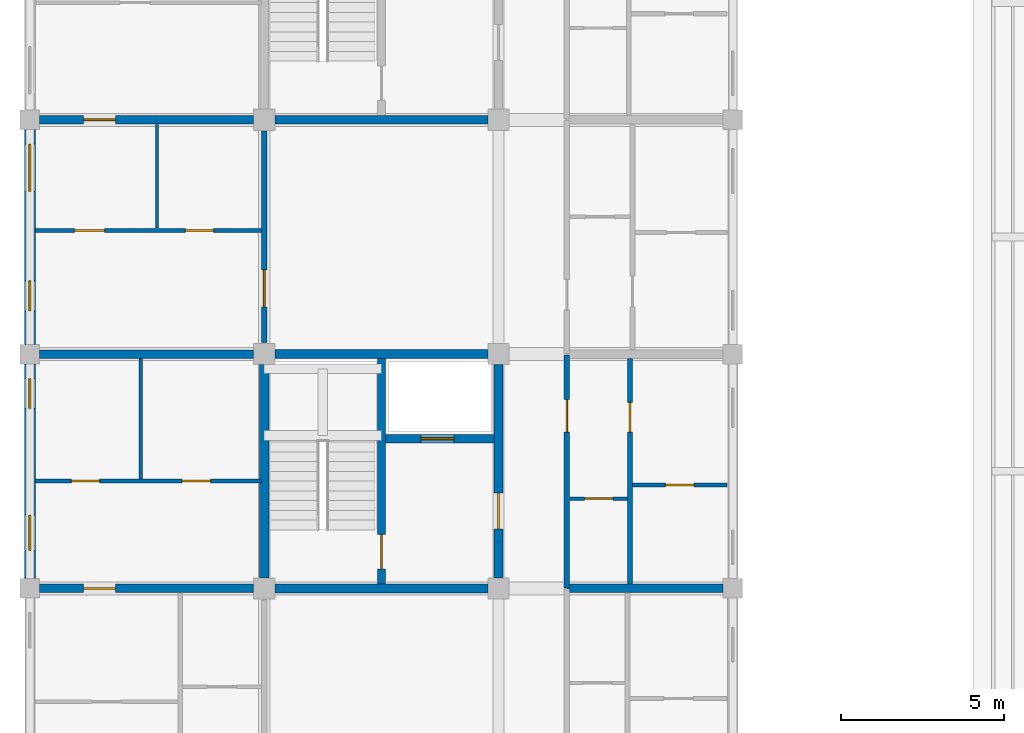
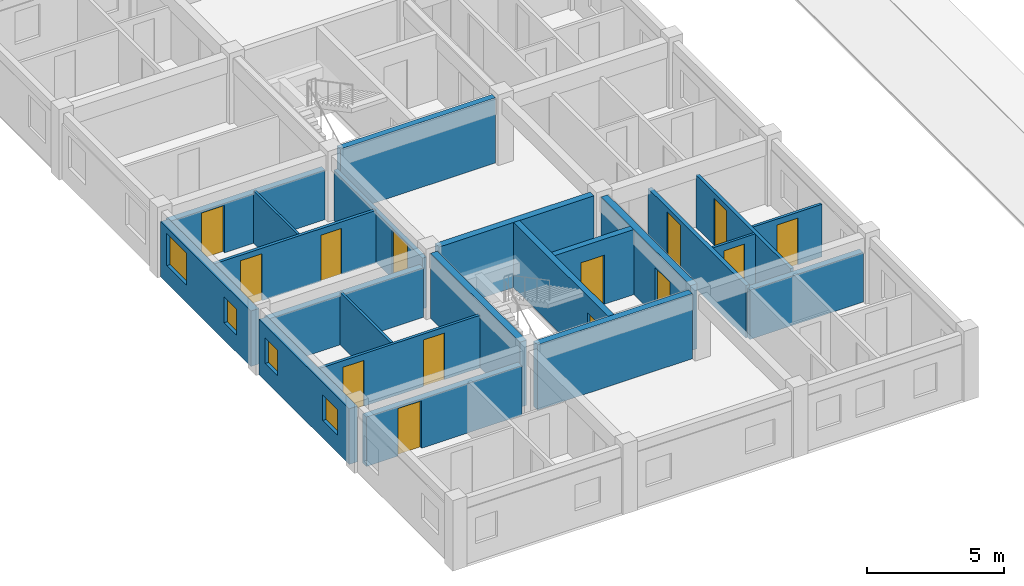
# One storey, part 25 of 50: 22 walls, 14 doors, 4 windows, 18 openings.
"""IFC4 building model written with IfcOpenShell, lengths in metres."""

import ifcopenshell
import ifcopenshell.guid

model = None  # the IFC model being written
_history = None  # IfcOwnerHistory: only IFC2X3 demands one
_inside = {}  # id of a spatial element -> (the spatial element, [elements in it])
_under = {}  # id of a project, library or spatial element -> (it, [spatial elements below it])
_declared = {}  # id of a project -> (the project, [libraries it declares])
_typed = {}  # id of a type object -> (the type object, [elements of that type])
_made_of = {}  # id of a material, layer set ... -> (it, [elements and type objects made of it])


def new_model(schema):
    """Start an empty IFC model of exactly this schema.

    Asked for "IFC4X3", IfcOpenShell would pick the latest addendum, in which some entities
    have other attributes; the version numbers below select the first issue.
    IFC2X3 requires an IfcOwnerHistory on every rooted entity: one is made here for all.
    """
    global model, _history
    if schema == "IFC4X3":
        model = ifcopenshell.file(schema_version=(4, 3, 0, 0))
    else:
        model = ifcopenshell.file(schema=schema)
    _inside.clear()
    _under.clear()
    _declared.clear()
    _typed.clear()
    _made_of.clear()
    _history = None
    if model.schema == "IFC2X3":
        org = make("IfcOrganization", Name="unknown")
        user = make(
            "IfcPersonAndOrganization",
            ThePerson=make("IfcPerson", FamilyName="unknown"),
            TheOrganization=org,
        )
        app = make(
            "IfcApplication",
            ApplicationDeveloper=org,
            Version="unknown",
            ApplicationFullName="unknown",
            ApplicationIdentifier="unknown",
        )
        _history = make(
            "IfcOwnerHistory",
            OwningUser=user,
            OwningApplication=app,
            ChangeAction="ADDED",
            CreationDate=0,
        )
    return model


def make(cls, **values):
    """One entity of the class cls with the attributes given. An attribute that is None is left unset."""
    return model.create_entity(
        cls, **{name: value for name, value in values.items() if value is not None}
    )


def rooted(cls, **values):
    """An entity with a GlobalId (a new one), such as an element, a storey or a relation."""
    return make(cls, GlobalId=ifcopenshell.guid.new(), OwnerHistory=_history, **values)


def si_unit(unit_type, name, prefix=None):
    """IfcSIUnit, for example si_unit("LENGTHUNIT", "METRE", prefix="MILLI")."""
    return make("IfcSIUnit", UnitType=unit_type, Prefix=prefix, Name=name)


def assignment(units):
    """IfcUnitAssignment: the units of a project."""
    return None if units is None else make("IfcUnitAssignment", Units=units)


def point(xyz):
    """IfcCartesianPoint."""
    return None if xyz is None else make("IfcCartesianPoint", Coordinates=xyz)


def direction(xyz):
    """IfcDirection."""
    return None if xyz is None else make("IfcDirection", DirectionRatios=xyz)


def frame(location, z_axis=None, x_axis=None):
    """IfcAxis2Placement3D, a coordinate frame: its origin and axes. An axis left out is left unset."""
    return make(
        "IfcAxis2Placement3D",
        Location=point(location),
        Axis=direction(z_axis),
        RefDirection=direction(x_axis),
    )


def frame_2d(location, x_axis=None):
    """IfcAxis2Placement2D, a coordinate frame in the plane: its origin and x axis."""
    return make(
        "IfcAxis2Placement2D", Location=point(location), RefDirection=direction(x_axis)
    )


def origin():
    """The frame at (0, 0, 0) with its axes left unset."""
    return frame((0.0, 0.0, 0.0))


def place(relative_to, where):
    """IfcLocalPlacement: puts the frame where relative to a parent placement (None: the world)."""
    return make(
        "IfcLocalPlacement", PlacementRelTo=relative_to, RelativePlacement=where
    )


def context(
    kind, dimensions, precision=None, world=None, true_north=None, identifier=None
):
    """IfcGeometricRepresentationContext, for example the 3D "Model" context."""
    return make(
        "IfcGeometricRepresentationContext",
        ContextIdentifier=identifier,
        ContextType=kind,
        CoordinateSpaceDimension=dimensions,
        Precision=precision,
        WorldCoordinateSystem=world,
        TrueNorth=true_north,
    )


def subcontext(parent, identifier, kind, view, scale=None):
    """IfcGeometricRepresentationSubContext, for example "Body" below "Model"."""
    return make(
        "IfcGeometricRepresentationSubContext",
        ContextIdentifier=identifier,
        ContextType=kind,
        ParentContext=parent,
        TargetScale=scale,
        TargetView=view,
    )


def project(units=None, contexts=None):
    """IfcProject with its units and contexts."""
    return rooted(
        "IfcProject",
        Name="project",
        RepresentationContexts=contexts,
        UnitsInContext=assignment(units),
    )


def spatial(cls, under=None, at=None, **own):
    """A site, building, storey or space (cls), placed at a placement, below another one or the project."""
    s = rooted(cls, ObjectPlacement=at, **own)
    if under is not None:
        _under.setdefault(under.id(), (under, []))[1].append(s)
    return s


def profile(cls, at=None, kind="AREA", **sizes):
    """A parametric profile (cls). Its sizes go by their IFC names, for example OverallWidth=200.0."""
    return make(cls, ProfileType=kind, Position=at, **sizes)


def rectangle(**sizes):
    """IfcRectangleProfileDef."""
    return profile("IfcRectangleProfileDef", **sizes)


def extrude(swept, where, along, depth):
    """IfcExtrudedAreaSolid: the profile swept, set in the frame where, extruded along a direction by depth."""
    return make(
        "IfcExtrudedAreaSolid",
        SweptArea=swept,
        Position=where,
        ExtrudedDirection=direction(along),
        Depth=depth,
    )


def shape(context_of_items, identifier, shape_type, items):
    """IfcShapeRepresentation: the items that make up one representation, for example the "Body"."""
    return make(
        "IfcShapeRepresentation",
        ContextOfItems=context_of_items,
        RepresentationIdentifier=identifier,
        RepresentationType=shape_type,
        Items=items,
    )


def material(Name=None, Category=None):
    """IfcMaterial."""
    return make("IfcMaterial", Name=Name, Category=Category)


def layer(
    of_material, thickness, ventilated=None, Name=None, Category=None, Priority=None
):
    """IfcMaterialLayer: one layer of a wall or slab, of a material (None: an air gap)."""
    return make(
        "IfcMaterialLayer",
        Material=of_material,
        LayerThickness=thickness,
        IsVentilated=ventilated,
        Name=Name,
        Category=Category,
        Priority=Priority,
    )


def layer_set(layers, Name=None):
    """IfcMaterialLayerSet."""
    return make("IfcMaterialLayerSet", MaterialLayers=layers, LayerSetName=Name)


def made_of(thing, what):
    """Note that an element or type object is made of a material, layer set ...; save() writes the relation."""
    if what is not None:
        _made_of.setdefault(what.id(), (what, []))[1].append(thing)
    return thing


def type_object(cls, material=None, **own):
    """A type object (cls), such as IfcWallType, which elements share."""
    return made_of(rooted(cls, **own), material)


def element(
    cls,
    number,
    at=None,
    inside=None,
    cuts=None,
    type_object=None,
    material=None,
    context=None,
    identifier="Body",
    shape_type=None,
    held_by="IfcProductDefinitionShape",
    body=None,
    shapes=None,
    **own,
):
    """One element of the class cls, such as IfcWall. Its Tag is "e" and its number.

    at: its placement. inside: the storey or other place that contains it. cuts: it is an
    opening in that element (IfcRelVoidsElement). A single representation is given by context,
    identifier, shape_type and body (its items); several are given by shapes. held_by: the class
    of the entity that holds the representations. save() writes the other relations.
    """
    e = rooted(cls, Tag="e%d" % number, ObjectPlacement=at, **own)
    if body is not None:
        shapes = [shape(context, identifier, shape_type, body)]
    if shapes is not None:
        e.Representation = make(held_by, Representations=shapes)
    if inside is not None:
        _inside.setdefault(inside.id(), (inside, []))[1].append(e)
    if cuts is not None:
        rooted(
            "IfcRelVoidsElement", RelatingBuildingElement=cuts, RelatedOpeningElement=e
        )
    if type_object is not None:
        _typed.setdefault(type_object.id(), (type_object, []))[1].append(e)
    return made_of(e, material)


def fill(opening, filler):
    """IfcRelFillsElement: the door or window that sits in an opening."""
    return rooted(
        "IfcRelFillsElement",
        RelatingOpeningElement=opening,
        RelatedBuildingElement=filler,
    )


def aggregate(whole, parts):
    """IfcRelAggregates: a whole, such as a stair, and the parts it consists of."""
    return rooted("IfcRelAggregates", RelatingObject=whole, RelatedObjects=parts)


def save(model, path):
    """Write the relations noted so far, then the file.

    IfcRelAggregates (storeys below a building ...), IfcRelContainedInSpatialStructure (elements
    in a storey), IfcRelDefinesByType, IfcRelAssociatesMaterial and IfcRelDeclares: one each for
    every whole, place, type object, material and project.
    """
    for whole, parts in _under.values():
        aggregate(whole, parts)
    for where, things in _inside.values():
        rooted(
            "IfcRelContainedInSpatialStructure",
            RelatedElements=things,
            RelatingStructure=where,
        )
    for kind, things in _typed.values():
        rooted("IfcRelDefinesByType", RelatedObjects=things, RelatingType=kind)
    for what, things in _made_of.values():
        rooted("IfcRelAssociatesMaterial", RelatedObjects=things, RelatingMaterial=what)
    for by, libraries in _declared.values():
        rooted("IfcRelDeclares", RelatingContext=by, RelatedDefinitions=libraries)
    model.write(path)


model = new_model("IFC4")

# Units and contexts
model_context = context("Model", 3, precision=1e-05, world=origin(), true_north=direction((0.0, 1.0)))
body_context = subcontext(model_context, "Body", "Model", "MODEL_VIEW")
ifc_project = project(units=[si_unit("LENGTHUNIT", "METRE"), si_unit("AREAUNIT", "SQUARE_METRE"), si_unit("VOLUMEUNIT", "CUBIC_METRE"), si_unit("PLANEANGLEUNIT", "RADIAN"), si_unit("MASSUNIT", "GRAM", prefix="KILO"), si_unit("THERMODYNAMICTEMPERATUREUNIT", "KELVIN"), si_unit("POWERUNIT", "WATT")], contexts=[model_context])

# Site, building, storey
site_placement = place(None, origin())
site = spatial("IfcSite", under=ifc_project, at=site_placement, CompositionType="ELEMENT")
building_placement = place(site_placement, origin())
building = spatial("IfcBuilding", under=site, at=building_placement, Name="Tavuni Mirador Residences", CompositionType="ELEMENT")
storey_placement = place(building_placement, frame((0.0, 0.0, 4.5)))
storey = spatial("IfcBuildingStorey", under=building, at=storey_placement, Name="L01", CompositionType="ELEMENT", Elevation=4.5)

# Wall, opening, door
ifc_material_1 = material(Name="Precast concrete C40/50", Category="concrete")
ifc_layer_1 = layer(ifc_material_1, 0.25, Name="Precast concrete C40/50", Category="concrete")
ifc_layer_set_1 = layer_set([ifc_layer_1], Name="Precast concrete C40/50")
wall_type_1 = type_object("IfcWallType", Name="WT-COR250", PredefinedType="SHEAR", material=ifc_layer_set_1)
wall_1_placement = place(storey_placement, frame((14.39990234375, 72.139892578125, 0.0), z_axis=(0.0, 0.0, 1.0), x_axis=(0.0, 1.0, 0.0)))
wall_1 = element("IfcWall", 1, at=wall_1_placement, inside=storey, type_object=wall_type_1, Name="CWALL-C3-L01-MID", PredefinedType="SHEAR", context=body_context, shape_type="SweptSolid", body=[
    extrude(rectangle(XDim=6.920166015625, YDim=0.25, at=frame_2d((3.4599609375, 0.0))), origin(), (0.0, 0.0, 1.0), 2.909912109375),
])
opening_1_placement = place(wall_1_placement, frame((0.4599609375, 0.0, 0.0)))
opening_1 = element("IfcOpeningElement", 2, at=opening_1_placement, cuts=wall_1, Name="Opening D-01", PredefinedType="OPENING", context=body_context, shape_type="SweptSolid", body=[
    extrude(rectangle(XDim=1.050048828125, YDim=2.14990234375, at=frame_2d((0.52490234375, 1.074951171875))), frame((0.0, 0.135009765625, 0.0), z_axis=(0.0, -1.0, 0.0), x_axis=(1.0, 0.0, 0.0)), (0.0, 0.0, 1.0), 0.27001953125),
])
ifc_material_2 = material(Name="Solid core iroko timber", Category="wood")
door_type_1 = type_object("IfcDoorType", Name="DT-ST1050", OperationType="NOTDEFINED", PredefinedType="DOOR", material=ifc_material_2)
door_1_placement = place(opening_1_placement, origin())
door_1 = element("IfcDoor", 3, at=door_1_placement, inside=storey, type_object=door_type_1, Name="DR-2116", OperationType="SINGLE_SWING_RIGHT", OverallHeight=2.14990234375, OverallWidth=1.050048828125, PredefinedType="DOOR", context=body_context, shape_type="SweptSolid", body=[
    extrude(rectangle(XDim=1.050048828125, YDim=2.14990234375, at=frame_2d((0.52490234375, 1.074951171875))), frame((0.0, 0.02490234375, 0.0), z_axis=(0.0, -1.0, 0.0), x_axis=(1.0, 0.0, 0.0)), (0.0, 0.0, 1.0), 0.050048828125),
])
fill(opening_1, door_1)

wall_2_placement = place(storey_placement, frame((14.52490234375, 76.60009765625, 0.0), z_axis=(0.0, 0.0, 1.0), x_axis=(1.0, 0.0, 0.0)))
wall_2 = element("IfcWall", 4, at=wall_2_placement, inside=storey, type_object=wall_type_1, Name="CWALL-C3-L01-SHF", PredefinedType="SHEAR", context=body_context, shape_type="SweptSolid", body=[
    extrude(rectangle(XDim=3.335205078125, YDim=0.25, at=frame_2d((1.66748046875, 0.0))), origin(), (0.0, 0.0, 1.0), 2.909912109375),
])
opening_2_placement = place(wall_2_placement, frame((1.10009765625, 0.0, 0.0)))
opening_2 = element("IfcOpeningElement", 5, at=opening_2_placement, cuts=wall_2, Name="Opening LD-02", PredefinedType="OPENING", context=body_context, shape_type="SweptSolid", body=[
    extrude(rectangle(XDim=1.0, YDim=2.199951171875, at=frame_2d((0.5, 1.10009765625))), frame((0.0, 0.135009765625, 0.0), z_axis=(0.0, -1.0, 0.0), x_axis=(1.0, 0.0, 0.0)), (0.0, 0.0, 1.0), 0.27001953125),
])
ifc_material_3 = material(Name="Structural steel S355", Category="steel")
door_type_2 = type_object("IfcDoorType", Name="DT-LD-PAX", OperationType="SLIDING_TO_LEFT", PredefinedType="DOOR", material=ifc_material_3)
door_2_placement = place(opening_2_placement, origin())
door_2 = element("IfcDoor", 6, at=door_2_placement, inside=storey, type_object=door_type_2, Name="Lift landing door PL-B1 L01", OperationType="SLIDING_TO_LEFT", OverallHeight=2.199951171875, OverallWidth=1.0, PredefinedType="DOOR", context=body_context, shape_type="SweptSolid", body=[
    extrude(rectangle(XDim=1.0, YDim=2.199951171875, at=frame_2d((0.5, 1.10009765625))), frame((0.0, 0.02490234375, 0.0), z_axis=(0.0, -1.0, 0.0), x_axis=(1.0, 0.0, 0.0)), (0.0, 0.0, 1.0), 0.050048828125),
])
fill(opening_2, door_2)

# Walls
wall_3_placement = place(storey_placement, frame((11.125, 86.39990234375, 0.0), z_axis=(0.0, 0.0, 1.0), x_axis=(1.0, 0.0, 0.0)))
element("IfcWall", 7, at=wall_3_placement, inside=storey, type_object=wall_type_1, Name="CWALL-C4-L01-SS", PredefinedType="SHEAR", context=body_context, shape_type="SweptSolid", body=[
    extrude(rectangle(XDim=6.550048828125, YDim=0.25, at=frame_2d((3.27490234375, 0.0))), origin(), (0.0, 0.0, 1.0), 2.909912109375),
])
ifc_layer_2 = layer(ifc_material_1, 0.280029296875, Name="Precast concrete C40/50", Category="concrete")
ifc_layer_set_2 = layer_set([ifc_layer_2], Name="Precast concrete C40/50")
wall_type_2 = type_object("IfcWallType", Name="WT-COR280", PredefinedType="SHEAR", material=ifc_layer_set_2)
for number, where, z_axis, x_axis, name in (
    (8, (10.800048828125, 72.324951171875, 0.0), (0.0, 0.0, 1.0), (0.0, 1.0, 0.0), "CWALL-C3-L01-W"),
    (9, (11.125, 79.199951171875, 0.0), (0.0, 0.0, 1.0), (1.0, 0.0, 0.0), "CWALL-C3-L01-N"),
):
    element("IfcWall", number, at=place(storey_placement, frame(where, z_axis=z_axis, x_axis=x_axis)), inside=storey, type_object=wall_type_2, Name=name, PredefinedType="SHEAR", context=body_context, shape_type="SweptSolid", body=[
        extrude(rectangle(XDim=6.550048828125, YDim=0.280029296875, at=frame_2d((3.27490234375, 0.0))), origin(), (0.0, 0.0, 1.0), 2.909912109375),
    ])

# Wall, opening, door
wall_4_placement = place(storey_placement, frame((18.0, 72.324951171875, 0.0), z_axis=(0.0, 0.0, 1.0), x_axis=(0.0, 1.0, 0.0)))
wall_4 = element("IfcWall", 10, at=wall_4_placement, inside=storey, type_object=wall_type_2, Name="CWALL-C3-L01-E", PredefinedType="SHEAR", context=body_context, shape_type="SweptSolid", body=[
    extrude(rectangle(XDim=6.550048828125, YDim=0.280029296875, at=frame_2d((3.27490234375, 0.0))), origin(), (0.0, 0.0, 1.0), 2.909912109375),
])
opening_3_placement = place(wall_4_placement, frame((1.5, 0.0, 0.0)))
opening_3 = element("IfcOpeningElement", 11, at=opening_3_placement, cuts=wall_4, Name="Opening D-02", PredefinedType="OPENING", context=body_context, shape_type="SweptSolid", body=[
    extrude(rectangle(XDim=1.10009765625, YDim=2.14990234375, at=frame_2d((0.550048828125, 1.074951171875))), frame((0.0, 0.14990234375, 0.0), z_axis=(0.0, -1.0, 0.0), x_axis=(1.0, 0.0, 0.0)), (0.0, 0.0, 1.0), 0.300048828125),
])
door_type_3 = type_object("IfcDoorType", Name="DT-LOB1100", OperationType="NOTDEFINED", PredefinedType="DOOR", material=ifc_material_2)
door_3_placement = place(opening_3_placement, frame((1.10009765625, 0.0, 0.0), z_axis=(0.0, 0.0, 1.0), x_axis=(-1.0, 0.0, 0.0)))
door_3 = element("IfcDoor", 12, at=door_3_placement, inside=storey, type_object=door_type_3, Name="DR-2115", OperationType="SINGLE_SWING_RIGHT", OverallHeight=2.14990234375, OverallWidth=1.10009765625, PredefinedType="DOOR", context=body_context, shape_type="SweptSolid", body=[
    extrude(rectangle(XDim=1.10009765625, YDim=2.14990234375, at=frame_2d((0.550048828125, 1.074951171875))), frame((0.0, 0.02490234375, 0.0), z_axis=(0.0, -1.0, 0.0), x_axis=(1.0, 0.0, 0.0)), (0.0, 0.0, 1.0), 0.050048828125),
])
fill(opening_3, door_3)

# Wall
wall_5_placement = place(storey_placement, frame((11.125, 72.0, 0.0), z_axis=(0.0, 0.0, 1.0), x_axis=(1.0, 0.0, 0.0)))
element("IfcWall", 13, at=wall_5_placement, inside=storey, type_object=wall_type_2, Name="CWALL-C3-L01-SS", PredefinedType="SHEAR", context=body_context, shape_type="SweptSolid", body=[
    extrude(rectangle(XDim=6.550048828125, YDim=0.280029296875, at=frame_2d((3.27490234375, 0.0))), origin(), (0.0, 0.0, 1.0), 2.909912109375),
])

# Wall, opening, door
ifc_layer_3 = layer(ifc_material_1, 0.1650390625, Name="Precast concrete C40/50", Category="concrete")
ifc_layer_set_3 = layer_set([ifc_layer_3], Name="Precast concrete C40/50")
wall_type_3 = type_object("IfcWallType", Name="WT-CORR165", PredefinedType="PARTITIONING", material=ifc_layer_set_3)
wall_6_placement = place(storey_placement, frame((20.10009765625, 72.02001953125, 0.0), z_axis=(0.0, 0.0, 1.0), x_axis=(0.0, 1.0, 0.0)))
wall_6 = element("IfcWall", 14, at=wall_6_placement, inside=storey, type_object=wall_type_3, Name="CORW-BLK-B-L01-0-01", PredefinedType="PARTITIONING", context=body_context, shape_type="SweptSolid", body=[
    extrude(rectangle(XDim=7.159912109375, YDim=0.1650390625, at=frame_2d((3.580078125, 0.0))), origin(), (0.0, 0.0, 1.0), 2.344970703125),
])
opening_4_placement = place(wall_6_placement, frame((4.780029296875, 0.0, 0.0)))
opening_4 = element("IfcOpeningElement", 15, at=opening_4_placement, cuts=wall_6, Name="Opening D-03", PredefinedType="OPENING", context=body_context, shape_type="SweptSolid", body=[
    extrude(rectangle(XDim=1.0, YDim=2.14990234375, at=frame_2d((0.5, 1.074951171875))), frame((0.0, 0.092529296875, 0.0), z_axis=(0.0, -1.0, 0.0), x_axis=(1.0, 0.0, 0.0)), (0.0, 0.0, 1.0), 0.18505859375),
])
door_type_4 = type_object("IfcDoorType", Name="DT-FD60-1000", OperationType="NOTDEFINED", PredefinedType="DOOR", material=ifc_material_2)
door_4_placement = place(opening_4_placement, origin())
door_4 = element("IfcDoor", 16, at=door_4_placement, inside=storey, type_object=door_type_4, Name="DR-2538", OperationType="SINGLE_SWING_LEFT", OverallHeight=2.14990234375, OverallWidth=1.0, PredefinedType="DOOR", context=body_context, shape_type="SweptSolid", body=[
    extrude(rectangle(XDim=1.0, YDim=2.14990234375, at=frame_2d((0.5, 1.074951171875))), frame((0.0, 0.02490234375, 0.0), z_axis=(0.0, -1.0, 0.0), x_axis=(1.0, 0.0, 0.0)), (0.0, 0.0, 1.0), 0.050048828125),
])
fill(opening_4, door_4)

wall_7_placement = place(storey_placement, frame((10.800048828125, 79.550048828125, 0.0), z_axis=(0.0, 0.0, 1.0), x_axis=(0.0, 1.0, 0.0)))
wall_7 = element("IfcWall", 17, at=wall_7_placement, inside=storey, type_object=wall_type_3, Name="CORW-BLK-B-L01-1-02", PredefinedType="PARTITIONING", context=body_context, shape_type="SweptSolid", body=[
    extrude(rectangle(XDim=6.5, YDim=0.1650390625, at=frame_2d((3.25, 0.0))), origin(), (0.0, 0.0, 1.0), 2.260009765625),
])
opening_5_placement = place(wall_7_placement, frame((1.10009765625, 0.0, 0.0)))
opening_5 = element("IfcOpeningElement", 18, at=opening_5_placement, cuts=wall_7, Name="Opening D-20", PredefinedType="OPENING", context=body_context, shape_type="SweptSolid", body=[
    extrude(rectangle(XDim=1.139892578125, YDim=2.179931640625, at=frame_2d((0.56982421875, 1.08984375))), frame((0.0, 0.092529296875, 0.0), z_axis=(0.0, -1.0, 0.0), x_axis=(1.0, 0.0, 0.0)), (0.0, 0.0, 1.0), 0.18505859375),
])
door_type_5 = type_object("IfcDoorType", Name="DT-FD60-1140", OperationType="NOTDEFINED", PredefinedType="DOOR", material=ifc_material_2)
door_5_placement = place(opening_5_placement, origin())
door_5 = element("IfcDoor", 19, at=door_5_placement, inside=storey, type_object=door_type_5, Name="DR-2543", OperationType="SINGLE_SWING_RIGHT", OverallHeight=2.179931640625, OverallWidth=1.139892578125, PredefinedType="DOOR", context=body_context, shape_type="SweptSolid", body=[
    extrude(rectangle(XDim=1.139892578125, YDim=2.179931640625, at=frame_2d((0.56982421875, 1.08984375))), frame((0.0, 0.02490234375, 0.0), z_axis=(0.0, -1.0, 0.0), x_axis=(1.0, 0.0, 0.0)), (0.0, 0.0, 1.0), 0.050048828125),
])
fill(opening_5, door_5)

# Wall, openings, windows
ifc_material_4 = material(Name="Sgraffito lime-rendered precast concrete C40/50", Category="concrete")
ifc_layer_4 = layer(ifc_material_4, 0.344970703125, Name="Sgraffito lime-rendered precast concrete C40/50", Category="concrete")
ifc_layer_set_4 = layer_set([ifc_layer_4], Name="Sgraffito lime-rendered precast concrete C40/50")
wall_type_4 = type_object("IfcWallType", Name="WT-EXT-PTY345", PredefinedType="SOLIDWALL", material=ifc_layer_set_4)
wall_8_placement = place(storey_placement, frame((3.60009765625, 86.10009765625, 0.0), z_axis=(0.0, 0.0, 1.0), x_axis=(0.0, -1.0, 0.0)))
wall_8 = element("IfcWall", 20, at=wall_8_placement, inside=storey, type_object=wall_type_4, Name="EW-BLK-B-L01-W02", PredefinedType="SOLIDWALL", context=body_context, shape_type="SweptSolid", body=[
    extrude(rectangle(XDim=6.60009765625, YDim=0.344970703125, at=frame_2d((3.300048828125, 0.0))), origin(), (0.0, 0.0, 1.0), 2.47998046875),
])
opening_6_placement = place(wall_8_placement, frame((0.449951171875, 0.0, 0.780029296875)))
opening_6 = element("IfcOpeningElement", 21, at=opening_6_placement, cuts=wall_8, Name="Opening WN-30", PredefinedType="OPENING", context=body_context, shape_type="SweptSolid", body=[
    extrude(rectangle(XDim=1.449951171875, YDim=1.43994140625, at=frame_2d((0.72509765625, 0.719970703125))), frame((0.0, 0.1826171875, 0.0), z_axis=(0.0, -1.0, 0.0), x_axis=(1.0, 0.0, 0.0)), (0.0, 0.0, 1.0), 0.364990234375),
])
opening_7_placement = place(wall_8_placement, frame((4.64990234375, 0.0, 0.780029296875)))
opening_7 = element("IfcOpeningElement", 22, at=opening_7_placement, cuts=wall_8, Name="Opening WN-02", PredefinedType="OPENING", context=body_context, shape_type="SweptSolid", body=[
    extrude(rectangle(XDim=0.919921875, YDim=1.14990234375, at=frame_2d((0.4599609375, 0.574951171875))), frame((0.0, 0.1826171875, 0.0), z_axis=(0.0, -1.0, 0.0), x_axis=(1.0, 0.0, 0.0)), (0.0, 0.0, 1.0), 0.364990234375),
])
ifc_material_5 = material(Name="Laminated solar-control glass", Category="glass")
window_type_1 = type_object("IfcWindowType", Name="WNT-02", PartitioningType="SINGLE_PANEL", PredefinedType="WINDOW", material=ifc_material_5)
window_1_placement = place(opening_7_placement, origin())
window_1 = element("IfcWindow", 23, at=window_1_placement, inside=storey, type_object=window_type_1, Name="WIN-0599", OverallHeight=1.14990234375, OverallWidth=0.919921875, PartitioningType="SINGLE_PANEL", PredefinedType="WINDOW", context=body_context, shape_type="SweptSolid", body=[
    extrude(rectangle(XDim=0.919921875, YDim=1.14990234375, at=frame_2d((0.4599609375, 0.574951171875))), frame((0.0, 0.030029296875, 0.0), z_axis=(0.0, -1.0, 0.0), x_axis=(1.0, 0.0, 0.0)), (0.0, 0.0, 1.0), 0.06005859375),
])
fill(opening_7, window_1)
window_type_2 = type_object("IfcWindowType", Name="WNT-30", PartitioningType="SINGLE_PANEL", PredefinedType="WINDOW", material=ifc_material_5)
window_2_placement = place(opening_6_placement, origin())
window_2 = element("IfcWindow", 24, at=window_2_placement, inside=storey, type_object=window_type_2, Name="WIN-0598", OverallHeight=1.43994140625, OverallWidth=1.449951171875, PartitioningType="SINGLE_PANEL", PredefinedType="WINDOW", context=body_context, shape_type="SweptSolid", body=[
    extrude(rectangle(XDim=1.449951171875, YDim=1.43994140625, at=frame_2d((0.72509765625, 0.719970703125))), frame((0.0, 0.030029296875, 0.0), z_axis=(0.0, -1.0, 0.0), x_axis=(1.0, 0.0, 0.0)), (0.0, 0.0, 1.0), 0.06005859375),
])
fill(opening_6, window_2)

wall_9_placement = place(storey_placement, frame((3.60009765625, 78.89990234375, 0.0), z_axis=(0.0, 0.0, 1.0), x_axis=(0.0, -1.0, 0.0)))
wall_9 = element("IfcWall", 25, at=wall_9_placement, inside=storey, type_object=wall_type_4, Name="EW-BLK-B-L01-W01", PredefinedType="SOLIDWALL", context=body_context, shape_type="SweptSolid", body=[
    extrude(rectangle(XDim=6.599853515625, YDim=0.344970703125, at=frame_2d((3.2998046875, 0.0))), origin(), (0.0, 0.0, 1.0), 2.47998046875),
])
opening_8_placement = place(wall_9_placement, frame((0.449951171875, 0.0, 0.780029296875)))
opening_8 = element("IfcOpeningElement", 26, at=opening_8_placement, cuts=wall_9, Name="Opening WN-02", PredefinedType="OPENING", context=body_context, shape_type="SweptSolid", body=[
    extrude(rectangle(XDim=0.919921875, YDim=1.14990234375, at=frame_2d((0.4599609375, 0.574951171875))), frame((0.0, 0.1826171875, 0.0), z_axis=(0.0, -1.0, 0.0), x_axis=(1.0, 0.0, 0.0)), (0.0, 0.0, 1.0), 0.364990234375),
])
opening_9_placement = place(wall_9_placement, frame((4.64990234375, 0.0, 0.780029296875)))
opening_9 = element("IfcOpeningElement", 27, at=opening_9_placement, cuts=wall_9, Name="Opening WN-04", PredefinedType="OPENING", context=body_context, shape_type="SweptSolid", body=[
    extrude(rectangle(XDim=1.080078125, YDim=1.14990234375, at=frame_2d((0.5400390625, 0.574951171875))), frame((0.0, 0.1826171875, 0.0), z_axis=(0.0, -1.0, 0.0), x_axis=(1.0, 0.0, 0.0)), (0.0, 0.0, 1.0), 0.364990234375),
])
window_3_placement = place(opening_8_placement, origin())
window_3 = element("IfcWindow", 28, at=window_3_placement, inside=storey, type_object=window_type_1, Name="WIN-0600", OverallHeight=1.14990234375, OverallWidth=0.919921875, PartitioningType="SINGLE_PANEL", PredefinedType="WINDOW", context=body_context, shape_type="SweptSolid", body=[
    extrude(rectangle(XDim=0.919921875, YDim=1.14990234375, at=frame_2d((0.4599609375, 0.574951171875))), frame((0.0, 0.030029296875, 0.0), z_axis=(0.0, -1.0, 0.0), x_axis=(1.0, 0.0, 0.0)), (0.0, 0.0, 1.0), 0.06005859375),
])
fill(opening_8, window_3)
window_type_3 = type_object("IfcWindowType", Name="WNT-04", PartitioningType="SINGLE_PANEL", PredefinedType="WINDOW", material=ifc_material_5)
window_4_placement = place(opening_9_placement, origin())
window_4 = element("IfcWindow", 29, at=window_4_placement, inside=storey, type_object=window_type_3, Name="WIN-0601", OverallHeight=1.14990234375, OverallWidth=1.080078125, PartitioningType="SINGLE_PANEL", PredefinedType="WINDOW", context=body_context, shape_type="SweptSolid", body=[
    extrude(rectangle(XDim=1.080078125, YDim=1.14990234375, at=frame_2d((0.5400390625, 0.574951171875))), frame((0.0, 0.030029296875, 0.0), z_axis=(0.0, -1.0, 0.0), x_axis=(1.0, 0.0, 0.0)), (0.0, 0.0, 1.0), 0.06005859375),
])
fill(opening_9, window_4)

# Walls
ifc_material_6 = material(Name="Acoustic gypsum and concrete block partition", Category="concrete")
ifc_layer_5 = layer(ifc_material_6, 0.094970703125, Name="Acoustic gypsum and concrete block partition", Category="concrete")
ifc_layer_set_5 = layer_set([ifc_layer_5], Name="Acoustic gypsum and concrete block partition")
wall_type_5 = type_object("IfcWallType", Name="WT-PART095", PredefinedType="PARTITIONING", material=ifc_layer_set_5)
wall_10_placement = place(storey_placement, frame((7.5, 83.070068359375, 0.0), z_axis=(0.0, 0.0, 1.0), x_axis=(0.0, 1.0, 0.0)))
element("IfcWall", 30, at=wall_10_placement, inside=storey, type_object=wall_type_5, Name="PW-BLK-B-L01-PF02-V", PredefinedType="PARTITIONING", context=body_context, shape_type="SweptSolid", body=[
    extrude(rectangle(XDim=3.18994140625, YDim=0.094970703125, at=frame_2d((1.594970703125, 0.0))), origin(), (0.0, 0.0, 1.0), 2.344970703125),
])
ifc_layer_6 = layer(ifc_material_6, 0.10498046875, Name="Acoustic gypsum and concrete block partition", Category="concrete")
ifc_layer_set_6 = layer_set([ifc_layer_6], Name="Acoustic gypsum and concrete block partition")
wall_type_6 = type_object("IfcWallType", Name="WT-PART105", PredefinedType="PARTITIONING", material=ifc_layer_set_6)
wall_11_placement = place(storey_placement, frame((7.0, 75.3701171875, 0.0), z_axis=(0.0, 0.0, 1.0), x_axis=(0.0, 1.0, 0.0)))
element("IfcWall", 31, at=wall_11_placement, inside=storey, type_object=wall_type_6, Name="PW-BLK-B-L01-PF01-V", PredefinedType="PARTITIONING", context=body_context, shape_type="SweptSolid", body=[
    extrude(rectangle(XDim=3.68994140625, YDim=0.10498046875, at=frame_2d((1.844970703125, 0.0))), origin(), (0.0, 0.0, 1.0), 2.344970703125),
])

# Wall, opening, door
wall_12_placement = place(storey_placement, frame((20.18994140625, 74.760009765625, 0.0), z_axis=(0.0, 0.0, 1.0), x_axis=(1.0, 0.0, 0.0)))
wall_12 = element("IfcWall", 32, at=wall_12_placement, inside=storey, type_object=wall_type_6, Name="PW-BLK-B-L01-E01-IN1", PredefinedType="PARTITIONING", context=body_context, shape_type="SweptSolid", body=[
    extrude(rectangle(XDim=1.780029296875, YDim=0.10498046875, at=frame_2d((0.89013671875, 0.0))), origin(), (0.0, 0.0, 1.0), 2.344970703125),
])
opening_10_placement = place(wall_12_placement, frame((0.455078125, 0.0, 0.0)))
opening_10 = element("IfcOpeningElement", 33, at=opening_10_placement, cuts=wall_12, Name="Opening D-10", PredefinedType="OPENING", context=body_context, shape_type="SweptSolid", body=[
    extrude(rectangle(XDim=0.8701171875, YDim=2.050048828125, at=frame_2d((0.43505859375, 1.02490234375))), frame((0.0, 0.0625, 0.0), z_axis=(0.0, -1.0, 0.0), x_axis=(1.0, 0.0, 0.0)), (0.0, 0.0, 1.0), 0.125),
])
door_type_6 = type_object("IfcDoorType", Name="DT-WC870", OperationType="NOTDEFINED", PredefinedType="DOOR", material=ifc_material_2)
door_6_placement = place(opening_10_placement, origin())
door_6 = element("IfcDoor", 34, at=door_6_placement, inside=storey, type_object=door_type_6, Name="DR-3455", OperationType="SINGLE_SWING_LEFT", OverallHeight=2.050048828125, OverallWidth=0.8701171875, PredefinedType="DOOR", context=body_context, shape_type="SweptSolid", body=[
    extrude(rectangle(XDim=0.8701171875, YDim=2.050048828125, at=frame_2d((0.43505859375, 1.02490234375))), frame((0.0, 0.02490234375, 0.0), z_axis=(0.0, -1.0, 0.0), x_axis=(1.0, 0.0, 0.0)), (0.0, 0.0, 1.0), 0.050048828125),
])
fill(opening_10, door_6)

# Wall, openings, doors
ifc_layer_7 = layer(ifc_material_6, 0.114990234375, Name="Acoustic gypsum and concrete block partition", Category="concrete")
ifc_layer_set_7 = layer_set([ifc_layer_7], Name="Acoustic gypsum and concrete block partition")
wall_type_7 = type_object("IfcWallType", Name="WT-PART115", PredefinedType="PARTITIONING", material=ifc_layer_set_7)
wall_13_placement = place(storey_placement, frame((3.77490234375, 75.300048828125, 0.0), z_axis=(0.0, 0.0, 1.0), x_axis=(1.0, 0.0, 0.0)))
wall_13 = element("IfcWall", 35, at=wall_13_placement, inside=storey, type_object=wall_type_7, Name="PW-BLK-B-L01-PF01-H", PredefinedType="PARTITIONING", context=body_context, shape_type="SweptSolid", body=[
    extrude(rectangle(XDim=6.93505859375, YDim=0.114990234375, at=frame_2d((3.467529296875, 0.0))), origin(), (0.0, 0.0, 1.0), 2.344970703125),
])
opening_11_placement = place(wall_13_placement, frame((1.10009765625, 0.0, 0.0)))
opening_11 = element("IfcOpeningElement", 36, at=opening_11_placement, cuts=wall_13, Name="Opening D-10", PredefinedType="OPENING", context=body_context, shape_type="SweptSolid", body=[
    extrude(rectangle(XDim=0.8701171875, YDim=2.050048828125, at=frame_2d((0.43505859375, 1.02490234375))), frame((0.0, 0.0673828125, 0.0), z_axis=(0.0, -1.0, 0.0), x_axis=(1.0, 0.0, 0.0)), (0.0, 0.0, 1.0), 0.135009765625),
])
opening_12_placement = place(wall_13_placement, frame((4.5, 0.0, 0.0)))
opening_12 = element("IfcOpeningElement", 37, at=opening_12_placement, cuts=wall_13, Name="Opening D-08", PredefinedType="OPENING", context=body_context, shape_type="SweptSolid", body=[
    extrude(rectangle(XDim=0.8798828125, YDim=2.080078125, at=frame_2d((0.43994140625, 1.0400390625))), frame((0.0, 0.0673828125, 0.0), z_axis=(0.0, -1.0, 0.0), x_axis=(1.0, 0.0, 0.0)), (0.0, 0.0, 1.0), 0.135009765625),
])
door_type_7 = type_object("IfcDoorType", Name="DT-BED880", OperationType="NOTDEFINED", PredefinedType="DOOR", material=ifc_material_2)
door_7_placement = place(opening_12_placement, origin())
door_7 = element("IfcDoor", 38, at=door_7_placement, inside=storey, type_object=door_type_7, Name="DR-3453", OperationType="SINGLE_SWING_RIGHT", OverallHeight=2.080078125, OverallWidth=0.8798828125, PredefinedType="DOOR", context=body_context, shape_type="SweptSolid", body=[
    extrude(rectangle(XDim=0.8798828125, YDim=2.080078125, at=frame_2d((0.43994140625, 1.0400390625))), frame((0.0, 0.02490234375, 0.0), z_axis=(0.0, -1.0, 0.0), x_axis=(1.0, 0.0, 0.0)), (0.0, 0.0, 1.0), 0.050048828125),
])
fill(opening_12, door_7)
door_8_placement = place(opening_11_placement, origin())
door_8 = element("IfcDoor", 39, at=door_8_placement, inside=storey, type_object=door_type_6, Name="DR-3452", OperationType="SINGLE_SWING_LEFT", OverallHeight=2.050048828125, OverallWidth=0.8701171875, PredefinedType="DOOR", context=body_context, shape_type="SweptSolid", body=[
    extrude(rectangle(XDim=0.8701171875, YDim=2.050048828125, at=frame_2d((0.43505859375, 1.02490234375))), frame((0.0, 0.02490234375, 0.0), z_axis=(0.0, -1.0, 0.0), x_axis=(1.0, 0.0, 0.0)), (0.0, 0.0, 1.0), 0.050048828125),
])
fill(opening_11, door_8)

# Wall, opening, door
wall_14_placement = place(storey_placement, frame((22.110107421875, 75.179931640625, 0.0), z_axis=(0.0, 0.0, 1.0), x_axis=(1.0, 0.0, 0.0)))
wall_14 = element("IfcWall", 40, at=wall_14_placement, inside=storey, type_object=wall_type_7, Name="PW-BLK-B-L01-E01-OUT", PredefinedType="PARTITIONING", context=body_context, shape_type="SweptSolid", body=[
    extrude(rectangle(XDim=2.914794921875, YDim=0.114990234375, at=frame_2d((1.45751953125, 0.0))), origin(), (0.0, 0.0, 1.0), 2.344970703125),
])
opening_13_placement = place(wall_14_placement, frame((1.017578125, 0.0, 0.0)))
opening_13 = element("IfcOpeningElement", 41, at=opening_13_placement, cuts=wall_14, Name="Opening D-08", PredefinedType="OPENING", context=body_context, shape_type="SweptSolid", body=[
    extrude(rectangle(XDim=0.8798828125, YDim=2.080078125, at=frame_2d((0.43994140625, 1.0400390625))), frame((0.0, 0.0673828125, 0.0), z_axis=(0.0, -1.0, 0.0), x_axis=(1.0, 0.0, 0.0)), (0.0, 0.0, 1.0), 0.135009765625),
])
door_9_placement = place(opening_13_placement, origin())
door_9 = element("IfcDoor", 42, at=door_9_placement, inside=storey, type_object=door_type_7, Name="DR-3454", OperationType="SINGLE_SWING_RIGHT", OverallHeight=2.080078125, OverallWidth=0.8798828125, PredefinedType="DOOR", context=body_context, shape_type="SweptSolid", body=[
    extrude(rectangle(XDim=0.8798828125, YDim=2.080078125, at=frame_2d((0.43994140625, 1.0400390625))), frame((0.0, 0.02490234375, 0.0), z_axis=(0.0, -1.0, 0.0), x_axis=(1.0, 0.0, 0.0)), (0.0, 0.0, 1.0), 0.050048828125),
])
fill(opening_13, door_9)

# Wall, openings, doors
ifc_layer_8 = layer(ifc_material_6, 0.125, Name="Acoustic gypsum and concrete block partition", Category="concrete")
ifc_layer_set_8 = layer_set([ifc_layer_8], Name="Acoustic gypsum and concrete block partition")
wall_type_8 = type_object("IfcWallType", Name="WT-PART125", PredefinedType="PARTITIONING", material=ifc_layer_set_8)
wall_15_placement = place(storey_placement, frame((3.77490234375, 83.0, 0.0), z_axis=(0.0, 0.0, 1.0), x_axis=(1.0, 0.0, 0.0)))
wall_15 = element("IfcWall", 43, at=wall_15_placement, inside=storey, type_object=wall_type_8, Name="PW-BLK-B-L01-PF02-H", PredefinedType="PARTITIONING", context=body_context, shape_type="SweptSolid", body=[
    extrude(rectangle(XDim=6.93505859375, YDim=0.125, at=frame_2d((3.467529296875, 0.0))), origin(), (0.0, 0.0, 1.0), 2.344970703125),
])
opening_14_placement = place(wall_15_placement, frame((4.60009765625, 0.0, 0.0)))
opening_14 = element("IfcOpeningElement", 44, at=opening_14_placement, cuts=wall_15, Name="Opening D-10", PredefinedType="OPENING", context=body_context, shape_type="SweptSolid", body=[
    extrude(rectangle(XDim=0.8701171875, YDim=2.050048828125, at=frame_2d((0.43505859375, 1.02490234375))), frame((0.0, 0.072509765625, 0.0), z_axis=(0.0, -1.0, 0.0), x_axis=(1.0, 0.0, 0.0)), (0.0, 0.0, 1.0), 0.14501953125),
])
opening_15_placement = place(wall_15_placement, frame((1.199951171875, 0.0, 0.0)))
opening_15 = element("IfcOpeningElement", 45, at=opening_15_placement, cuts=wall_15, Name="Opening D-06", PredefinedType="OPENING", context=body_context, shape_type="SweptSolid", body=[
    extrude(rectangle(XDim=0.919921875, YDim=2.10009765625, at=frame_2d((0.4599609375, 1.050048828125))), frame((0.0, 0.072509765625, 0.0), z_axis=(0.0, -1.0, 0.0), x_axis=(1.0, 0.0, 0.0)), (0.0, 0.0, 1.0), 0.14501953125),
])
door_type_8 = type_object("IfcDoorType", Name="DT-INT920", OperationType="NOTDEFINED", PredefinedType="DOOR", material=ifc_material_2)
door_10_placement = place(opening_15_placement, origin())
door_10 = element("IfcDoor", 46, at=door_10_placement, inside=storey, type_object=door_type_8, Name="DR-3458", OperationType="SINGLE_SWING_RIGHT", OverallHeight=2.10009765625, OverallWidth=0.919921875, PredefinedType="DOOR", context=body_context, shape_type="SweptSolid", body=[
    extrude(rectangle(XDim=0.919921875, YDim=2.10009765625, at=frame_2d((0.4599609375, 1.050048828125))), frame((0.0, 0.02490234375, 0.0), z_axis=(0.0, -1.0, 0.0), x_axis=(1.0, 0.0, 0.0)), (0.0, 0.0, 1.0), 0.050048828125),
])
fill(opening_15, door_10)
door_11_placement = place(opening_14_placement, origin())
door_11 = element("IfcDoor", 47, at=door_11_placement, inside=storey, type_object=door_type_6, Name="DR-3457", OperationType="SINGLE_SWING_LEFT", OverallHeight=2.050048828125, OverallWidth=0.8701171875, PredefinedType="DOOR", context=body_context, shape_type="SweptSolid", body=[
    extrude(rectangle(XDim=0.8701171875, YDim=2.050048828125, at=frame_2d((0.43505859375, 1.02490234375))), frame((0.0, 0.02490234375, 0.0), z_axis=(0.0, -1.0, 0.0), x_axis=(1.0, 0.0, 0.0)), (0.0, 0.0, 1.0), 0.050048828125),
])
fill(opening_14, door_11)

# Wall, opening, door
ifc_layer_9 = layer(ifc_material_6, 0.139892578125, Name="Acoustic gypsum and concrete block partition", Category="concrete")
ifc_layer_set_9 = layer_set([ifc_layer_9], Name="Acoustic gypsum and concrete block partition")
wall_type_9 = type_object("IfcWallType", Name="WT-PART140", PredefinedType="PARTITIONING", material=ifc_layer_set_9)
wall_16_placement = place(storey_placement, frame((22.0400390625, 72.139892578125, 0.0), z_axis=(0.0, 0.0, 1.0), x_axis=(0.0, 1.0, 0.0)))
wall_16 = element("IfcWall", 48, at=wall_16_placement, inside=storey, type_object=wall_type_9, Name="PW-BLK-B-L01-E01-MID", PredefinedType="PARTITIONING", context=body_context, shape_type="SweptSolid", body=[
    extrude(rectangle(XDim=6.920166015625, YDim=0.139892578125, at=frame_2d((3.4599609375, 0.0))), origin(), (0.0, 0.0, 1.0), 2.344970703125),
])
opening_16_placement = place(wall_16_placement, frame((4.659912109375, 0.0, 0.0)))
opening_16 = element("IfcOpeningElement", 49, at=opening_16_placement, cuts=wall_16, Name="Opening D-06", PredefinedType="OPENING", context=body_context, shape_type="SweptSolid", body=[
    extrude(rectangle(XDim=0.919921875, YDim=2.10009765625, at=frame_2d((0.4599609375, 1.050048828125))), frame((0.0, 0.080078125, 0.0), z_axis=(0.0, -1.0, 0.0), x_axis=(1.0, 0.0, 0.0)), (0.0, 0.0, 1.0), 0.159912109375),
])
door_12_placement = place(opening_16_placement, origin())
door_12 = element("IfcDoor", 50, at=door_12_placement, inside=storey, type_object=door_type_8, Name="DR-3456", OperationType="SINGLE_SWING_RIGHT", OverallHeight=2.10009765625, OverallWidth=0.919921875, PredefinedType="DOOR", context=body_context, shape_type="SweptSolid", body=[
    extrude(rectangle(XDim=0.919921875, YDim=2.10009765625, at=frame_2d((0.4599609375, 1.050048828125))), frame((0.0, 0.02490234375, 0.0), z_axis=(0.0, -1.0, 0.0), x_axis=(1.0, 0.0, 0.0)), (0.0, 0.0, 1.0), 0.050048828125),
])
fill(opening_16, door_12)

ifc_layer_10 = layer(ifc_material_1, 0.264892578125, Name="Precast concrete C40/50", Category="concrete")
ifc_layer_set_10 = layer_set([ifc_layer_10], Name="Precast concrete C40/50")
wall_type_10 = type_object("IfcWallType", Name="WT-XW265", PredefinedType="SOLIDWALL", material=ifc_layer_set_10)
wall_17_placement = place(storey_placement, frame((3.89990234375, 72.0, 0.0), z_axis=(0.0, 0.0, 1.0), x_axis=(1.0, 0.0, 0.0)))
wall_17 = element("IfcWall", 51, at=wall_17_placement, inside=storey, type_object=wall_type_10, Name="XW-BLK-B-L01-W-01", PredefinedType="SOLIDWALL", context=body_context, shape_type="SweptSolid", body=[
    extrude(rectangle(XDim=6.5751953125, YDim=0.264892578125, at=frame_2d((3.28759765625, 0.0))), origin(), (0.0, 0.0, 1.0), 2.2099609375),
])
opening_17_placement = place(wall_17_placement, frame((1.35009765625, 0.0, 0.0)))
opening_17 = element("IfcOpeningElement", 52, at=opening_17_placement, cuts=wall_17, Name="Opening D-04", PredefinedType="OPENING", context=body_context, shape_type="SweptSolid", body=[
    extrude(rectangle(XDim=0.97998046875, YDim=2.1201171875, at=frame_2d((0.489990234375, 1.06005859375))), frame((0.0, 0.142578125, 0.0), z_axis=(0.0, -1.0, 0.0), x_axis=(1.0, 0.0, 0.0)), (0.0, 0.0, 1.0), 0.284912109375),
])
door_type_9 = type_object("IfcDoorType", Name="DT-FD60-980", OperationType="NOTDEFINED", PredefinedType="DOOR", material=ifc_material_2)
door_13_placement = place(opening_17_placement, origin())
door_13 = element("IfcDoor", 53, at=door_13_placement, inside=storey, type_object=door_type_9, Name="DR-4710", OperationType="SINGLE_SWING_LEFT", OverallHeight=2.1201171875, OverallWidth=0.97998046875, PredefinedType="DOOR", context=body_context, shape_type="SweptSolid", body=[
    extrude(rectangle(XDim=0.97998046875, YDim=2.1201171875, at=frame_2d((0.489990234375, 1.06005859375))), frame((0.0, 0.02490234375, 0.0), z_axis=(0.0, -1.0, 0.0), x_axis=(1.0, 0.0, 0.0)), (0.0, 0.0, 1.0), 0.050048828125),
])
fill(opening_17, door_13)

# Walls
wall_18_placement = place(storey_placement, frame((20.10009765625, 72.0, 0.0), z_axis=(0.0, 0.0, 1.0), x_axis=(1.0, 0.0, 0.0)))
element("IfcWall", 54, at=wall_18_placement, inside=storey, type_object=wall_type_10, Name="XW-BLK-B-L01-E-01", PredefinedType="SOLIDWALL", context=body_context, shape_type="SweptSolid", body=[
    extrude(rectangle(XDim=4.7998046875, YDim=0.264892578125, at=frame_2d((2.39990234375, 0.0))), origin(), (0.0, 0.0, 1.0), 2.2099609375),
])
wall_19_placement = place(storey_placement, frame((3.89990234375, 79.199951171875, 0.0), z_axis=(0.0, 0.0, 1.0), x_axis=(1.0, 0.0, 0.0)))
element("IfcWall", 55, at=wall_19_placement, inside=storey, type_object=wall_type_10, Name="XW-BLK-B-L01-W-02", PredefinedType="SOLIDWALL", context=body_context, shape_type="SweptSolid", body=[
    extrude(rectangle(XDim=6.5751953125, YDim=0.264892578125, at=frame_2d((3.28759765625, 0.0))), origin(), (0.0, 0.0, 1.0), 2.2099609375),
])

# Wall, opening, door
wall_20_placement = place(storey_placement, frame((3.89990234375, 86.39990234375, 0.0), z_axis=(0.0, 0.0, 1.0), x_axis=(1.0, 0.0, 0.0)))
wall_20 = element("IfcWall", 56, at=wall_20_placement, inside=storey, type_object=wall_type_10, Name="XW-BLK-B-L01-W-03", PredefinedType="SOLIDWALL", context=body_context, shape_type="SweptSolid", body=[
    extrude(rectangle(XDim=6.5751953125, YDim=0.264892578125, at=frame_2d((3.28759765625, 0.0))), origin(), (0.0, 0.0, 1.0), 2.2099609375),
])
opening_18_placement = place(wall_20_placement, frame((1.35009765625, 0.0, 0.0)))
opening_18 = element("IfcOpeningElement", 57, at=opening_18_placement, cuts=wall_20, Name="Opening D-04", PredefinedType="OPENING", context=body_context, shape_type="SweptSolid", body=[
    extrude(rectangle(XDim=0.97998046875, YDim=2.1201171875, at=frame_2d((0.489990234375, 1.06005859375))), frame((0.0, 0.142578125, 0.0), z_axis=(0.0, -1.0, 0.0), x_axis=(1.0, 0.0, 0.0)), (0.0, 0.0, 1.0), 0.284912109375),
])
door_14_placement = place(opening_18_placement, origin())
door_14 = element("IfcDoor", 58, at=door_14_placement, inside=storey, type_object=door_type_9, Name="DR-4711", OperationType="SINGLE_SWING_RIGHT", OverallHeight=2.1201171875, OverallWidth=0.97998046875, PredefinedType="DOOR", context=body_context, shape_type="SweptSolid", body=[
    extrude(rectangle(XDim=0.97998046875, YDim=2.1201171875, at=frame_2d((0.489990234375, 1.06005859375))), frame((0.0, 0.02490234375, 0.0), z_axis=(0.0, -1.0, 0.0), x_axis=(1.0, 0.0, 0.0)), (0.0, 0.0, 1.0), 0.050048828125),
])
fill(opening_18, door_14)

save(model, "model.ifc")
